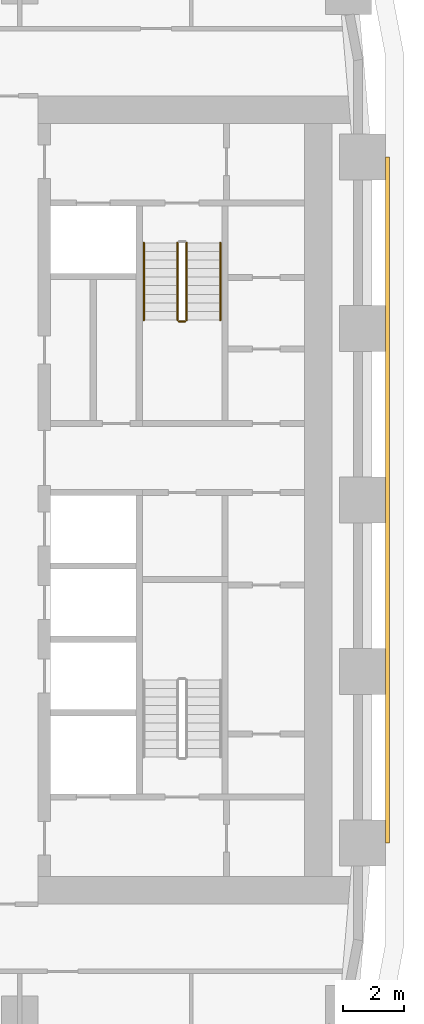
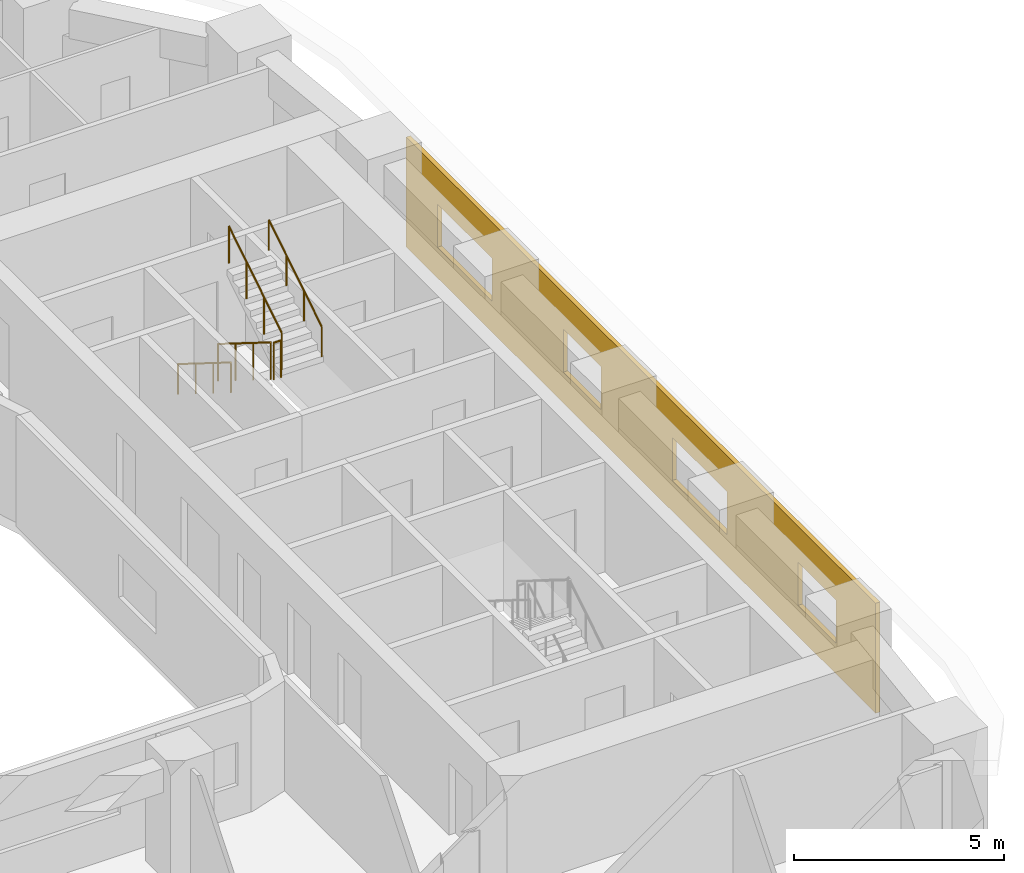
# One storey, part 18 of 21: 5 railings, 1 covering.
"""IFC4 building model written with IfcOpenShell, lengths in metres."""

from ifc_helpers import new_model, si_unit, direction, frame, origin, origin_2d, place, context, subcontext, project, spatial, polyline, circle, outline, extrude, material, layer, layer_set, type_object, element, save


model = new_model("IFC4")

# Units and contexts
model_context = context("Model", 3, precision=1e-05, world=origin(), true_north=direction((0.0, 1.0)))
body_context = subcontext(model_context, "Body", "Model", "MODEL_VIEW")
ifc_project = project(units=[si_unit("LENGTHUNIT", "METRE"), si_unit("AREAUNIT", "SQUARE_METRE"), si_unit("VOLUMEUNIT", "CUBIC_METRE"), si_unit("PLANEANGLEUNIT", "RADIAN"), si_unit("MASSUNIT", "GRAM", prefix="KILO")], contexts=[model_context])

# Site, building, storey
site_placement = place(None, origin())
site = spatial("IfcSite", under=ifc_project, at=site_placement, CompositionType="ELEMENT")
building_placement = place(site_placement, origin())
building = spatial("IfcBuilding", under=site, at=building_placement, Name="Kiln Ring Residences", CompositionType="ELEMENT")
storey_placement = place(building_placement, frame((0.0, 0.0, 41.0)))
storey = spatial("IfcBuildingStorey", under=building, at=storey_placement, Name="L09", CompositionType="ELEMENT", Elevation=41.0)

# Railings
ifc_material_1 = material(Name="Stainless steel", Category="steel")
railing_type_1 = type_object("IfcRailingType", Name="CORE-STAIR-GUARD", PredefinedType="GUARDRAIL", material=ifc_material_1)
railing_1_placement = place(storey_placement, frame((21.949951171875, 8.39990234375, 0.175048828125)))
element("IfcRailing", 1, at=railing_1_placement, inside=storey, type_object=railing_type_1, Name="L09 E-STN stair guard 1", PredefinedType="GUARDRAIL", context=body_context, shape_type="SweptSolid", body=[
    extrude(circle(Radius=0.02392578125, at=origin_2d()), frame((0.0, 0.0, 1.076171875), z_axis=(0.0, -0.848007534815, 0.529984170421), x_axis=(1.0, 0.0, 0.0)), (0.0, 0.0, 1.0), 2.9716796875),
    extrude(circle(Radius=0.02099609375, at=origin_2d()), origin(), (0.0, 0.0, 1.0), 1.052001953125),
    extrude(circle(Radius=0.02099609375, at=origin_2d()), frame((0.0, -0.840087890625, 0.52490234375)), (0.0, 0.0, 1.0), 1.052001953125),
    extrude(circle(Radius=0.02099609375, at=origin_2d()), frame((0.0, -1.679931640625, 1.050048828125)), (0.0, 0.0, 1.0), 1.052001953125),
    extrude(circle(Radius=0.02099609375, at=origin_2d()), frame((0.0, -2.52001953125, 1.574951171875)), (0.0, 0.0, 1.0), 1.052001953125),
])
railing_2_placement = place(storey_placement, frame((22.0, 5.830078125, 1.75)))
element("IfcRailing", 2, at=railing_2_placement, inside=storey, type_object=railing_type_1, Name="L09 E-STN stair guard 2", PredefinedType="GUARDRAIL", context=body_context, shape_type="SweptSolid", body=[
    extrude(circle(Radius=0.02392578125, at=origin_2d()), frame((0.0, 0.0, 1.076171875), z_axis=(1.0, 0.0, 0.0), x_axis=(0.0, 1.0, 0.0)), (0.0, 0.0, 1.0), 0.199951171875),
    extrude(circle(Radius=0.02099609375, at=origin_2d()), origin(), (0.0, 0.0, 1.0), 1.052001953125),
    extrude(circle(Radius=0.02099609375, at=origin_2d()), frame((0.199951171875, 0.0, 0.0)), (0.0, 0.0, 1.0), 1.052001953125),
])
railing_3_placement = place(storey_placement, frame((22.25, 5.8798828125, 1.925048828125)))
element("IfcRailing", 3, at=railing_3_placement, inside=storey, type_object=railing_type_1, Name="L09 E-STN stair guard 3", PredefinedType="GUARDRAIL", context=body_context, shape_type="SweptSolid", body=[
    extrude(circle(Radius=0.02392578125, at=origin_2d()), frame((0.0, 0.0, 1.076171875), z_axis=(0.0, 0.848007534815, 0.529984170421), x_axis=(-1.0, 0.0, 0.0)), (0.0, 0.0, 1.0), 2.9716796875),
    extrude(circle(Radius=0.02099609375, at=origin_2d()), origin(), (0.0, 0.0, 1.0), 1.052001953125),
    extrude(circle(Radius=0.02099609375, at=origin_2d()), frame((0.0, 0.840087890625, 0.52490234375)), (0.0, 0.0, 1.0), 1.052001953125),
    extrude(circle(Radius=0.02099609375, at=origin_2d()), frame((0.0, 1.679931640625, 1.050048828125)), (0.0, 0.0, 1.0), 1.052001953125),
    extrude(circle(Radius=0.02099609375, at=origin_2d()), frame((0.0, 2.52001953125, 1.574951171875)), (0.0, 0.0, 1.0), 1.052001953125),
])
ifc_material_2 = material(Name="Stainless steel", Category="steel")
railing_type_2 = type_object("IfcRailingType", Name="CORE-STAIR-HANDRAIL", PredefinedType="HANDRAIL", material=ifc_material_2)
railing_4_placement = place(storey_placement, frame((20.85009765625, 8.39990234375, 0.175048828125)))
element("IfcRailing", 4, at=railing_4_placement, inside=storey, type_object=railing_type_2, Name="L09 E-STN stair handrail 1", PredefinedType="HANDRAIL", context=body_context, shape_type="SweptSolid", body=[
    extrude(circle(Radius=0.02392578125, at=origin_2d()), frame((0.0, 0.0, 0.8759765625), z_axis=(0.0, -0.848007534815, 0.529984170421), x_axis=(1.0, 0.0, 0.0)), (0.0, 0.0, 1.0), 2.9716796875),
    extrude(circle(Radius=0.02099609375, at=origin_2d()), origin(), (0.0, 0.0, 1.0), 0.851806640625),
    extrude(circle(Radius=0.02099609375, at=origin_2d()), frame((0.0, -0.840087890625, 0.52490234375)), (0.0, 0.0, 1.0), 0.851806640625),
    extrude(circle(Radius=0.02099609375, at=origin_2d()), frame((0.0, -1.679931640625, 1.050048828125)), (0.0, 0.0, 1.0), 0.851806640625),
    extrude(circle(Radius=0.02099609375, at=origin_2d()), frame((0.0, -2.52001953125, 1.574951171875)), (0.0, 0.0, 1.0), 0.851806640625),
])
railing_5_placement = place(storey_placement, frame((23.35009765625, 5.8798828125, 1.925048828125)))
element("IfcRailing", 5, at=railing_5_placement, inside=storey, type_object=railing_type_2, Name="L09 E-STN stair handrail 2", PredefinedType="HANDRAIL", context=body_context, shape_type="SweptSolid", body=[
    extrude(circle(Radius=0.02392578125, at=origin_2d()), frame((0.0, 0.0, 0.8759765625), z_axis=(0.0, 0.848007534815, 0.529984170421), x_axis=(-1.0, 0.0, 0.0)), (0.0, 0.0, 1.0), 2.9716796875),
    extrude(circle(Radius=0.02099609375, at=origin_2d()), origin(), (0.0, 0.0, 1.0), 0.851806640625),
    extrude(circle(Radius=0.02099609375, at=origin_2d()), frame((0.0, 0.840087890625, 0.52490234375)), (0.0, 0.0, 1.0), 0.851806640625),
    extrude(circle(Radius=0.02099609375, at=origin_2d()), frame((0.0, 1.679931640625, 1.050048828125)), (0.0, 0.0, 1.0), 0.851806640625),
    extrude(circle(Radius=0.02099609375, at=origin_2d()), frame((0.0, 2.52001953125, 1.574951171875)), (0.0, 0.0, 1.0), 0.851806640625),
])

# Covering
ifc_material_3 = material(Name="Brick masonry, dark clay brick", Category="masonry")
ifc_layer = layer(ifc_material_3, 0.1201171875)
ifc_layer_set = layer_set([ifc_layer], Name="RAINSCREEN PANEL 120")
covering_type = type_object("IfcCoveringType", Name="RAINSCREEN PANEL 120", PredefinedType="CLADDING", material=ifc_layer_set)
covering_placement = place(storey_placement, frame((28.81005859375, -11.199951171875, 0.0), z_axis=(0.0, 0.0, 1.0), x_axis=(0.0, 1.0, 0.0)))
element("IfcCovering", 6, at=covering_placement, inside=storey, type_object=covering_type, Name="RAINSCREEN L09", PredefinedType="CLADDING", context=body_context, shape_type="SweptSolid", body=[
    extrude(outline(polyline([(0.0, 0.0), (22.39990234375, 0.0), (22.39990234375, 3.199951171875), (0.0, 3.199951171875), (0.0, 0.0)]), holes=[polyline([(3.699951171875, 0.89990234375), (3.699951171875, 2.14990234375), (1.89990234375, 2.14990234375), (1.89990234375, 0.89990234375), (3.699951171875, 0.89990234375)]), polyline([(9.699951171875, 0.89990234375), (9.699951171875, 2.14990234375), (7.10009765625, 2.14990234375), (7.10009765625, 0.89990234375), (9.699951171875, 0.89990234375)]), polyline([(14.89990234375, 0.89990234375), (14.89990234375, 2.14990234375), (13.10009765625, 2.14990234375), (13.10009765625, 0.89990234375), (14.89990234375, 0.89990234375)]), polyline([(20.89990234375, 0.89990234375), (20.89990234375, 2.14990234375), (18.300048828125, 2.14990234375), (18.300048828125, 0.89990234375), (20.89990234375, 0.89990234375)])]), frame((0.0, 0.06005859375, 0.0), z_axis=(0.0, -1.0, 0.0), x_axis=(1.0, 0.0, 0.0)), (0.0, 0.0, 1.0), 0.1201171875),
])

save(model, "model.ifc")
